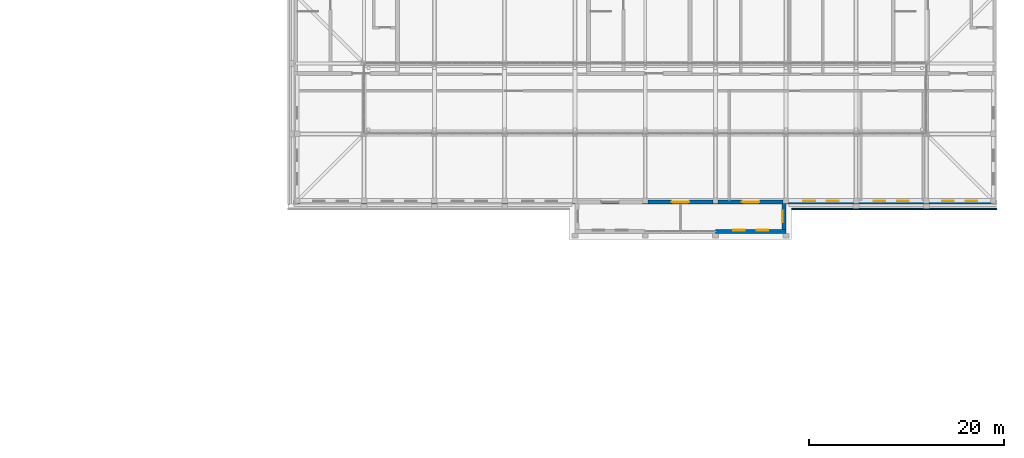
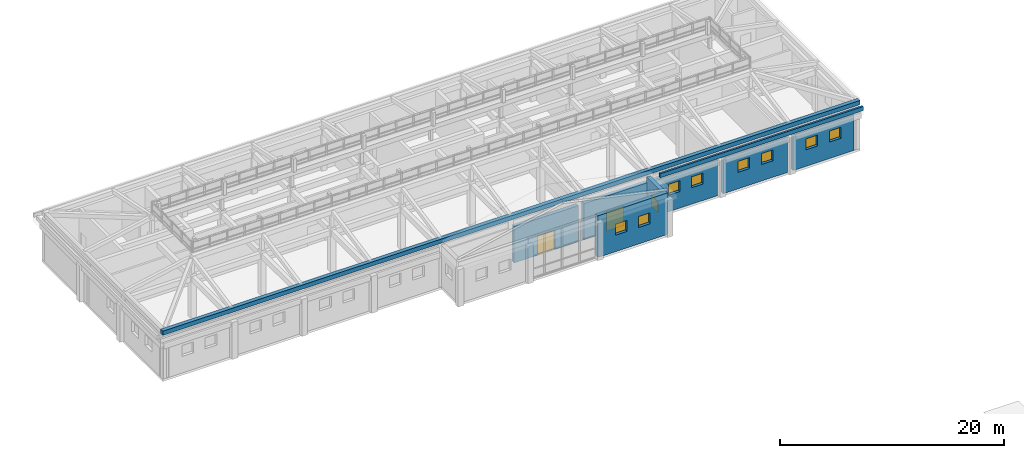
# One storey, part 41 of 48: 9 walls, 9 windows, 2 doors, 11 openings.
"""IFC4 building model written with IfcOpenShell, lengths in metres."""

import ifcopenshell
import ifcopenshell.guid

model = None  # the IFC model being written
_history = None  # IfcOwnerHistory: only IFC2X3 demands one
_inside = {}  # id of a spatial element -> (the spatial element, [elements in it])
_under = {}  # id of a project, library or spatial element -> (it, [spatial elements below it])
_declared = {}  # id of a project -> (the project, [libraries it declares])
_typed = {}  # id of a type object -> (the type object, [elements of that type])
_made_of = {}  # id of a material, layer set ... -> (it, [elements and type objects made of it])


def new_model(schema):
    """Start an empty IFC model of exactly this schema.

    Asked for "IFC4X3", IfcOpenShell would pick the latest addendum, in which some entities
    have other attributes; the version numbers below select the first issue.
    IFC2X3 requires an IfcOwnerHistory on every rooted entity: one is made here for all.
    """
    global model, _history
    if schema == "IFC4X3":
        model = ifcopenshell.file(schema_version=(4, 3, 0, 0))
    else:
        model = ifcopenshell.file(schema=schema)
    _inside.clear()
    _under.clear()
    _declared.clear()
    _typed.clear()
    _made_of.clear()
    _history = None
    if model.schema == "IFC2X3":
        org = make("IfcOrganization", Name="unknown")
        user = make(
            "IfcPersonAndOrganization",
            ThePerson=make("IfcPerson", FamilyName="unknown"),
            TheOrganization=org,
        )
        app = make(
            "IfcApplication",
            ApplicationDeveloper=org,
            Version="unknown",
            ApplicationFullName="unknown",
            ApplicationIdentifier="unknown",
        )
        _history = make(
            "IfcOwnerHistory",
            OwningUser=user,
            OwningApplication=app,
            ChangeAction="ADDED",
            CreationDate=0,
        )
    return model


def make(cls, **values):
    """One entity of the class cls with the attributes given. An attribute that is None is left unset."""
    return model.create_entity(
        cls, **{name: value for name, value in values.items() if value is not None}
    )


def rooted(cls, **values):
    """An entity with a GlobalId (a new one), such as an element, a storey or a relation."""
    return make(cls, GlobalId=ifcopenshell.guid.new(), OwnerHistory=_history, **values)


def si_unit(unit_type, name, prefix=None):
    """IfcSIUnit, for example si_unit("LENGTHUNIT", "METRE", prefix="MILLI")."""
    return make("IfcSIUnit", UnitType=unit_type, Prefix=prefix, Name=name)


def assignment(units):
    """IfcUnitAssignment: the units of a project."""
    return None if units is None else make("IfcUnitAssignment", Units=units)


def point(xyz):
    """IfcCartesianPoint."""
    return None if xyz is None else make("IfcCartesianPoint", Coordinates=xyz)


def direction(xyz):
    """IfcDirection."""
    return None if xyz is None else make("IfcDirection", DirectionRatios=xyz)


def frame(location, z_axis=None, x_axis=None):
    """IfcAxis2Placement3D, a coordinate frame: its origin and axes. An axis left out is left unset."""
    return make(
        "IfcAxis2Placement3D",
        Location=point(location),
        Axis=direction(z_axis),
        RefDirection=direction(x_axis),
    )


def frame_2d(location, x_axis=None):
    """IfcAxis2Placement2D, a coordinate frame in the plane: its origin and x axis."""
    return make(
        "IfcAxis2Placement2D", Location=point(location), RefDirection=direction(x_axis)
    )


def origin():
    """The frame at (0, 0, 0) with its axes left unset."""
    return frame((0.0, 0.0, 0.0))


def place(relative_to, where):
    """IfcLocalPlacement: puts the frame where relative to a parent placement (None: the world)."""
    return make(
        "IfcLocalPlacement", PlacementRelTo=relative_to, RelativePlacement=where
    )


def context(
    kind, dimensions, precision=None, world=None, true_north=None, identifier=None
):
    """IfcGeometricRepresentationContext, for example the 3D "Model" context."""
    return make(
        "IfcGeometricRepresentationContext",
        ContextIdentifier=identifier,
        ContextType=kind,
        CoordinateSpaceDimension=dimensions,
        Precision=precision,
        WorldCoordinateSystem=world,
        TrueNorth=true_north,
    )


def subcontext(parent, identifier, kind, view, scale=None):
    """IfcGeometricRepresentationSubContext, for example "Body" below "Model"."""
    return make(
        "IfcGeometricRepresentationSubContext",
        ContextIdentifier=identifier,
        ContextType=kind,
        ParentContext=parent,
        TargetScale=scale,
        TargetView=view,
    )


def project(units=None, contexts=None):
    """IfcProject with its units and contexts."""
    return rooted(
        "IfcProject",
        Name="project",
        RepresentationContexts=contexts,
        UnitsInContext=assignment(units),
    )


def spatial(cls, under=None, at=None, **own):
    """A site, building, storey or space (cls), placed at a placement, below another one or the project."""
    s = rooted(cls, ObjectPlacement=at, **own)
    if under is not None:
        _under.setdefault(under.id(), (under, []))[1].append(s)
    return s


def profile(cls, at=None, kind="AREA", **sizes):
    """A parametric profile (cls). Its sizes go by their IFC names, for example OverallWidth=200.0."""
    return make(cls, ProfileType=kind, Position=at, **sizes)


def rectangle(**sizes):
    """IfcRectangleProfileDef."""
    return profile("IfcRectangleProfileDef", **sizes)


def extrude(swept, where, along, depth):
    """IfcExtrudedAreaSolid: the profile swept, set in the frame where, extruded along a direction by depth."""
    return make(
        "IfcExtrudedAreaSolid",
        SweptArea=swept,
        Position=where,
        ExtrudedDirection=direction(along),
        Depth=depth,
    )


def shape(context_of_items, identifier, shape_type, items):
    """IfcShapeRepresentation: the items that make up one representation, for example the "Body"."""
    return make(
        "IfcShapeRepresentation",
        ContextOfItems=context_of_items,
        RepresentationIdentifier=identifier,
        RepresentationType=shape_type,
        Items=items,
    )


def material(Name=None, Category=None):
    """IfcMaterial."""
    return make("IfcMaterial", Name=Name, Category=Category)


def layer(
    of_material, thickness, ventilated=None, Name=None, Category=None, Priority=None
):
    """IfcMaterialLayer: one layer of a wall or slab, of a material (None: an air gap)."""
    return make(
        "IfcMaterialLayer",
        Material=of_material,
        LayerThickness=thickness,
        IsVentilated=ventilated,
        Name=Name,
        Category=Category,
        Priority=Priority,
    )


def layer_set(layers, Name=None):
    """IfcMaterialLayerSet."""
    return make("IfcMaterialLayerSet", MaterialLayers=layers, LayerSetName=Name)


def made_of(thing, what):
    """Note that an element or type object is made of a material, layer set ...; save() writes the relation."""
    if what is not None:
        _made_of.setdefault(what.id(), (what, []))[1].append(thing)
    return thing


def type_object(cls, material=None, **own):
    """A type object (cls), such as IfcWallType, which elements share."""
    return made_of(rooted(cls, **own), material)


def element(
    cls,
    number,
    at=None,
    inside=None,
    cuts=None,
    type_object=None,
    material=None,
    context=None,
    identifier="Body",
    shape_type=None,
    held_by="IfcProductDefinitionShape",
    body=None,
    shapes=None,
    **own,
):
    """One element of the class cls, such as IfcWall. Its Tag is "e" and its number.

    at: its placement. inside: the storey or other place that contains it. cuts: it is an
    opening in that element (IfcRelVoidsElement). A single representation is given by context,
    identifier, shape_type and body (its items); several are given by shapes. held_by: the class
    of the entity that holds the representations. save() writes the other relations.
    """
    e = rooted(cls, Tag="e%d" % number, ObjectPlacement=at, **own)
    if body is not None:
        shapes = [shape(context, identifier, shape_type, body)]
    if shapes is not None:
        e.Representation = make(held_by, Representations=shapes)
    if inside is not None:
        _inside.setdefault(inside.id(), (inside, []))[1].append(e)
    if cuts is not None:
        rooted(
            "IfcRelVoidsElement", RelatingBuildingElement=cuts, RelatedOpeningElement=e
        )
    if type_object is not None:
        _typed.setdefault(type_object.id(), (type_object, []))[1].append(e)
    return made_of(e, material)


def fill(opening, filler):
    """IfcRelFillsElement: the door or window that sits in an opening."""
    return rooted(
        "IfcRelFillsElement",
        RelatingOpeningElement=opening,
        RelatedBuildingElement=filler,
    )


def aggregate(whole, parts):
    """IfcRelAggregates: a whole, such as a stair, and the parts it consists of."""
    return rooted("IfcRelAggregates", RelatingObject=whole, RelatedObjects=parts)


def save(model, path):
    """Write the relations noted so far, then the file.

    IfcRelAggregates (storeys below a building ...), IfcRelContainedInSpatialStructure (elements
    in a storey), IfcRelDefinesByType, IfcRelAssociatesMaterial and IfcRelDeclares: one each for
    every whole, place, type object, material and project.
    """
    for whole, parts in _under.values():
        aggregate(whole, parts)
    for where, things in _inside.values():
        rooted(
            "IfcRelContainedInSpatialStructure",
            RelatedElements=things,
            RelatingStructure=where,
        )
    for kind, things in _typed.values():
        rooted("IfcRelDefinesByType", RelatedObjects=things, RelatingType=kind)
    for what, things in _made_of.values():
        rooted("IfcRelAssociatesMaterial", RelatedObjects=things, RelatingMaterial=what)
    for by, libraries in _declared.values():
        rooted("IfcRelDeclares", RelatingContext=by, RelatedDefinitions=libraries)
    model.write(path)


model = new_model("IFC4")

# Units and contexts
model_context = context("Model", 3, precision=1e-05, world=origin(), true_north=direction((0.0, 1.0)))
body_context = subcontext(model_context, "Body", "Model", "MODEL_VIEW")
ifc_project = project(units=[si_unit("LENGTHUNIT", "METRE"), si_unit("AREAUNIT", "SQUARE_METRE"), si_unit("VOLUMEUNIT", "CUBIC_METRE"), si_unit("PLANEANGLEUNIT", "RADIAN"), si_unit("MASSUNIT", "GRAM", prefix="KILO")], contexts=[model_context])

# Site, building, storey
site_placement = place(None, origin())
site = spatial("IfcSite", under=ifc_project, at=site_placement, CompositionType="ELEMENT")
building_placement = place(site_placement, origin())
building = spatial("IfcBuilding", under=site, at=building_placement, Name="Alderwick Market Hall", CompositionType="ELEMENT")
storey_placement = place(building_placement, frame((0.0, 0.0, 14.39990234375)))
storey = spatial("IfcBuildingStorey", under=building, at=storey_placement, Name="L02", CompositionType="ELEMENT", Elevation=14.39990234375)

# Wall, opening, door
ifc_material_1 = material(Name="Face brick", Category="masonry")
ifc_layer_1 = layer(ifc_material_1, 0.39990234375)
ifc_layer_set_1 = layer_set([ifc_layer_1], Name="Face brick")
wall_type_1 = type_object("IfcWallType", Name="F Brick Pier Wall 400", PredefinedType="SOLIDWALL", material=ifc_layer_set_1)
wall_1_placement = place(storey_placement, frame((201.324951171875, 129.800048828125, 0.0), z_axis=(0.0, 0.0, 1.0), x_axis=(-1.0, 0.0, 0.0)))
wall_1 = element("IfcWall", 1, at=wall_1_placement, inside=storey, type_object=wall_type_1, Name="F.wall.L02.fac.front.07", PredefinedType="SOLIDWALL", context=body_context, shape_type="SweptSolid", body=[
    extrude(rectangle(XDim=6.64990234375, YDim=0.39990234375, at=frame_2d((3.324951171875, 0.0))), origin(), (0.0, 0.0, 1.0), 3.9501953125),
])
opening_1_placement = place(wall_1_placement, frame((2.425048828125, 0.0, 0.0)))
opening_1 = element("IfcOpeningElement", 2, at=opening_1_placement, cuts=wall_1, Name="Opening F-D012", PredefinedType="OPENING", context=body_context, shape_type="SweptSolid", body=[
    extrude(rectangle(XDim=1.800048828125, YDim=2.10009765625, at=frame_2d((0.89990234375, 1.050048828125))), frame((0.0, 0.2099609375, 0.0), z_axis=(0.0, -1.0, 0.0), x_axis=(1.0, 0.0, 0.0)), (0.0, 0.0, 1.0), 0.419921875),
])
ifc_material_2 = material(Name="Timber, solid core", Category="wood")
door_type = type_object("IfcDoorType", Name="F Door Pair 1800x2100", OperationType="NOTDEFINED", PredefinedType="DOOR", material=ifc_material_2)
door_1_placement = place(opening_1_placement, origin())
door_1 = element("IfcDoor", 3, at=door_1_placement, inside=storey, type_object=door_type, Name="F.door.L02.012", OperationType="NOTDEFINED", OverallHeight=2.10009765625, OverallWidth=1.800048828125, PredefinedType="DOOR", context=body_context, shape_type="SweptSolid", body=[
    extrude(rectangle(XDim=1.800048828125, YDim=2.10009765625, at=frame_2d((0.89990234375, 1.050048828125))), frame((0.0, 0.02490234375, 0.0), z_axis=(0.0, -1.0, 0.0), x_axis=(1.0, 0.0, 0.0)), (0.0, 0.0, 1.0), 0.050048828125),
])
fill(opening_1, door_1)

wall_2_placement = place(storey_placement, frame((208.52490234375, 129.800048828125, 0.0), z_axis=(0.0, 0.0, 1.0), x_axis=(-1.0, 0.0, 0.0)))
wall_2 = element("IfcWall", 4, at=wall_2_placement, inside=storey, type_object=wall_type_1, Name="F.wall.L02.fac.front.08", PredefinedType="SOLIDWALL", context=body_context, shape_type="SweptSolid", body=[
    extrude(rectangle(XDim=6.64990234375, YDim=0.39990234375, at=frame_2d((3.324951171875, 0.0))), origin(), (0.0, 0.0, 1.0), 3.9501953125),
])
opening_2_placement = place(wall_2_placement, frame((2.425048828125, 0.0, 0.0)))
opening_2 = element("IfcOpeningElement", 5, at=opening_2_placement, cuts=wall_2, Name="Opening F-D013", PredefinedType="OPENING", context=body_context, shape_type="SweptSolid", body=[
    extrude(rectangle(XDim=1.800048828125, YDim=2.10009765625, at=frame_2d((0.89990234375, 1.050048828125))), frame((0.0, 0.2099609375, 0.0), z_axis=(0.0, -1.0, 0.0), x_axis=(1.0, 0.0, 0.0)), (0.0, 0.0, 1.0), 0.419921875),
])
door_2_placement = place(opening_2_placement, origin())
door_2 = element("IfcDoor", 6, at=door_2_placement, inside=storey, type_object=door_type, Name="F.door.L02.013", OperationType="NOTDEFINED", OverallHeight=2.10009765625, OverallWidth=1.800048828125, PredefinedType="DOOR", context=body_context, shape_type="SweptSolid", body=[
    extrude(rectangle(XDim=1.800048828125, YDim=2.10009765625, at=frame_2d((0.89990234375, 1.050048828125))), frame((0.0, 0.02490234375, 0.0), z_axis=(0.0, -1.0, 0.0), x_axis=(1.0, 0.0, 0.0)), (0.0, 0.0, 1.0), 0.050048828125),
])
fill(opening_2, door_2)

# Wall, openings, windows
wall_3_placement = place(storey_placement, frame((215.72509765625, 129.800048828125, 0.0), z_axis=(0.0, 0.0, 1.0), x_axis=(-1.0, 0.0, 0.0)))
wall_3 = element("IfcWall", 7, at=wall_3_placement, inside=storey, type_object=wall_type_1, Name="F.wall.L02.fac.front.09", PredefinedType="SOLIDWALL", context=body_context, shape_type="SweptSolid", body=[
    extrude(rectangle(XDim=6.650146484375, YDim=0.39990234375, at=frame_2d((3.3251953125, 0.0))), origin(), (0.0, 0.0, 1.0), 3.9501953125),
])
opening_3_placement = place(wall_3_placement, frame((1.52490234375, 0.0, 1.800048828125)))
opening_3 = element("IfcOpeningElement", 8, at=opening_3_placement, cuts=wall_3, Name="Opening F-W041", PredefinedType="OPENING", context=body_context, shape_type="SweptSolid", body=[
    extrude(rectangle(XDim=1.199951171875, YDim=1.199951171875, at=frame_2d((0.60009765625, 0.60009765625))), frame((0.0, 0.2099609375, 0.0), z_axis=(0.0, -1.0, 0.0), x_axis=(1.0, 0.0, 0.0)), (0.0, 0.0, 1.0), 0.419921875),
])
opening_4_placement = place(wall_3_placement, frame((3.925048828125, 0.0, 1.800048828125)))
opening_4 = element("IfcOpeningElement", 9, at=opening_4_placement, cuts=wall_3, Name="Opening F-W042", PredefinedType="OPENING", context=body_context, shape_type="SweptSolid", body=[
    extrude(rectangle(XDim=1.199951171875, YDim=1.199951171875, at=frame_2d((0.60009765625, 0.60009765625))), frame((0.0, 0.2099609375, 0.0), z_axis=(0.0, -1.0, 0.0), x_axis=(1.0, 0.0, 0.0)), (0.0, 0.0, 1.0), 0.419921875),
])
ifc_material_3 = material(Name="Aluminium frame, double glazing", Category="aluminium")
window_type = type_object("IfcWindowType", Name="F Attic Window 1200x1200", PartitioningType="SINGLE_PANEL", PredefinedType="WINDOW", material=ifc_material_3)
window_1_placement = place(opening_3_placement, origin())
window_1 = element("IfcWindow", 10, at=window_1_placement, inside=storey, type_object=window_type, Name="F.win.L02.041", OverallHeight=1.199951171875, OverallWidth=1.199951171875, PartitioningType="SINGLE_PANEL", PredefinedType="WINDOW", context=body_context, shape_type="SweptSolid", body=[
    extrude(rectangle(XDim=1.199951171875, YDim=1.199951171875, at=frame_2d((0.60009765625, 0.60009765625))), frame((0.0, -0.090087890625, 0.0), z_axis=(0.0, -1.0, 0.0), x_axis=(1.0, 0.0, 0.0)), (0.0, 0.0, 1.0), 0.06005859375),
])
fill(opening_3, window_1)
window_2_placement = place(opening_4_placement, origin())
window_2 = element("IfcWindow", 11, at=window_2_placement, inside=storey, type_object=window_type, Name="F.win.L02.042", OverallHeight=1.199951171875, OverallWidth=1.199951171875, PartitioningType="SINGLE_PANEL", PredefinedType="WINDOW", context=body_context, shape_type="SweptSolid", body=[
    extrude(rectangle(XDim=1.199951171875, YDim=1.199951171875, at=frame_2d((0.60009765625, 0.60009765625))), frame((0.0, -0.090087890625, 0.0), z_axis=(0.0, -1.0, 0.0), x_axis=(1.0, 0.0, 0.0)), (0.0, 0.0, 1.0), 0.06005859375),
])
fill(opening_4, window_2)

wall_4_placement = place(storey_placement, frame((222.925048828125, 129.800048828125, 0.0), z_axis=(0.0, 0.0, 1.0), x_axis=(-1.0, 0.0, 0.0)))
wall_4 = element("IfcWall", 12, at=wall_4_placement, inside=storey, type_object=wall_type_1, Name="F.wall.L02.fac.front.10", PredefinedType="SOLIDWALL", context=body_context, shape_type="SweptSolid", body=[
    extrude(rectangle(XDim=6.650146484375, YDim=0.39990234375, at=frame_2d((3.3251953125, 0.0))), origin(), (0.0, 0.0, 1.0), 3.9501953125),
])
opening_5_placement = place(wall_4_placement, frame((1.52490234375, 0.0, 1.800048828125)))
opening_5 = element("IfcOpeningElement", 13, at=opening_5_placement, cuts=wall_4, Name="Opening F-W043", PredefinedType="OPENING", context=body_context, shape_type="SweptSolid", body=[
    extrude(rectangle(XDim=1.199951171875, YDim=1.199951171875, at=frame_2d((0.60009765625, 0.60009765625))), frame((0.0, 0.2099609375, 0.0), z_axis=(0.0, -1.0, 0.0), x_axis=(1.0, 0.0, 0.0)), (0.0, 0.0, 1.0), 0.419921875),
])
opening_6_placement = place(wall_4_placement, frame((3.925048828125, 0.0, 1.800048828125)))
opening_6 = element("IfcOpeningElement", 14, at=opening_6_placement, cuts=wall_4, Name="Opening F-W044", PredefinedType="OPENING", context=body_context, shape_type="SweptSolid", body=[
    extrude(rectangle(XDim=1.199951171875, YDim=1.199951171875, at=frame_2d((0.60009765625, 0.60009765625))), frame((0.0, 0.2099609375, 0.0), z_axis=(0.0, -1.0, 0.0), x_axis=(1.0, 0.0, 0.0)), (0.0, 0.0, 1.0), 0.419921875),
])
window_3_placement = place(opening_5_placement, origin())
window_3 = element("IfcWindow", 15, at=window_3_placement, inside=storey, type_object=window_type, Name="F.win.L02.043", OverallHeight=1.199951171875, OverallWidth=1.199951171875, PartitioningType="SINGLE_PANEL", PredefinedType="WINDOW", context=body_context, shape_type="SweptSolid", body=[
    extrude(rectangle(XDim=1.199951171875, YDim=1.199951171875, at=frame_2d((0.60009765625, 0.60009765625))), frame((0.0, -0.090087890625, 0.0), z_axis=(0.0, -1.0, 0.0), x_axis=(1.0, 0.0, 0.0)), (0.0, 0.0, 1.0), 0.06005859375),
])
fill(opening_5, window_3)
window_4_placement = place(opening_6_placement, origin())
window_4 = element("IfcWindow", 16, at=window_4_placement, inside=storey, type_object=window_type, Name="F.win.L02.044", OverallHeight=1.199951171875, OverallWidth=1.199951171875, PartitioningType="SINGLE_PANEL", PredefinedType="WINDOW", context=body_context, shape_type="SweptSolid", body=[
    extrude(rectangle(XDim=1.199951171875, YDim=1.199951171875, at=frame_2d((0.60009765625, 0.60009765625))), frame((0.0, -0.090087890625, 0.0), z_axis=(0.0, -1.0, 0.0), x_axis=(1.0, 0.0, 0.0)), (0.0, 0.0, 1.0), 0.06005859375),
])
fill(opening_6, window_4)

wall_5_placement = place(storey_placement, frame((229.77490234375, 129.800048828125, 0.0), z_axis=(0.0, 0.0, 1.0), x_axis=(-1.0, 0.0, 0.0)))
wall_5 = element("IfcWall", 17, at=wall_5_placement, inside=storey, type_object=wall_type_1, Name="F.wall.L02.fac.front.11", PredefinedType="SOLIDWALL", context=body_context, shape_type="SweptSolid", body=[
    extrude(rectangle(XDim=6.2998046875, YDim=0.39990234375, at=frame_2d((3.14990234375, 0.0))), origin(), (0.0, 0.0, 1.0), 3.9501953125),
])
opening_7_placement = place(wall_5_placement, frame((1.35009765625, 0.0, 1.800048828125)))
opening_7 = element("IfcOpeningElement", 18, at=opening_7_placement, cuts=wall_5, Name="Opening F-W045", PredefinedType="OPENING", context=body_context, shape_type="SweptSolid", body=[
    extrude(rectangle(XDim=1.199951171875, YDim=1.199951171875, at=frame_2d((0.60009765625, 0.60009765625))), frame((0.0, 0.2099609375, 0.0), z_axis=(0.0, -1.0, 0.0), x_axis=(1.0, 0.0, 0.0)), (0.0, 0.0, 1.0), 0.419921875),
])
opening_8_placement = place(wall_5_placement, frame((3.75, 0.0, 1.800048828125)))
opening_8 = element("IfcOpeningElement", 19, at=opening_8_placement, cuts=wall_5, Name="Opening F-W046", PredefinedType="OPENING", context=body_context, shape_type="SweptSolid", body=[
    extrude(rectangle(XDim=1.199951171875, YDim=1.199951171875, at=frame_2d((0.60009765625, 0.60009765625))), frame((0.0, 0.2099609375, 0.0), z_axis=(0.0, -1.0, 0.0), x_axis=(1.0, 0.0, 0.0)), (0.0, 0.0, 1.0), 0.419921875),
])
window_5_placement = place(opening_7_placement, origin())
window_5 = element("IfcWindow", 20, at=window_5_placement, inside=storey, type_object=window_type, Name="F.win.L02.045", OverallHeight=1.199951171875, OverallWidth=1.199951171875, PartitioningType="SINGLE_PANEL", PredefinedType="WINDOW", context=body_context, shape_type="SweptSolid", body=[
    extrude(rectangle(XDim=1.199951171875, YDim=1.199951171875, at=frame_2d((0.60009765625, 0.60009765625))), frame((0.0, -0.090087890625, 0.0), z_axis=(0.0, -1.0, 0.0), x_axis=(1.0, 0.0, 0.0)), (0.0, 0.0, 1.0), 0.06005859375),
])
fill(opening_7, window_5)
window_6_placement = place(opening_8_placement, origin())
window_6 = element("IfcWindow", 21, at=window_6_placement, inside=storey, type_object=window_type, Name="F.win.L02.046", OverallHeight=1.199951171875, OverallWidth=1.199951171875, PartitioningType="SINGLE_PANEL", PredefinedType="WINDOW", context=body_context, shape_type="SweptSolid", body=[
    extrude(rectangle(XDim=1.199951171875, YDim=1.199951171875, at=frame_2d((0.60009765625, 0.60009765625))), frame((0.0, -0.090087890625, 0.0), z_axis=(0.0, -1.0, 0.0), x_axis=(1.0, 0.0, 0.0)), (0.0, 0.0, 1.0), 0.06005859375),
])
fill(opening_8, window_6)

wall_6_placement = place(storey_placement, frame((208.800048828125, 126.800048828125, 0.0), z_axis=(0.0, 0.0, 1.0), x_axis=(-1.0, 0.0, 0.0)))
wall_6 = element("IfcWall", 22, at=wall_6_placement, inside=storey, type_object=wall_type_1, Name="F.wall.L02.pav1.front.02", PredefinedType="SOLIDWALL", context=body_context, shape_type="SweptSolid", body=[
    extrude(rectangle(XDim=7.199951171875, YDim=0.39990234375, at=frame_2d((3.60009765625, 0.0))), origin(), (0.0, 0.0, 1.0), 4.550048828125),
])
opening_9_placement = place(wall_6_placement, frame((1.800048828125, 0.0, 1.800048828125)))
opening_9 = element("IfcOpeningElement", 23, at=opening_9_placement, cuts=wall_6, Name="Opening F-W074", PredefinedType="OPENING", context=body_context, shape_type="SweptSolid", body=[
    extrude(rectangle(XDim=1.199951171875, YDim=1.199951171875, at=frame_2d((0.60009765625, 0.60009765625))), frame((0.0, 0.2099609375, 0.0), z_axis=(0.0, -1.0, 0.0), x_axis=(1.0, 0.0, 0.0)), (0.0, 0.0, 1.0), 0.419921875),
])
opening_10_placement = place(wall_6_placement, frame((4.199951171875, 0.0, 1.800048828125)))
opening_10 = element("IfcOpeningElement", 24, at=opening_10_placement, cuts=wall_6, Name="Opening F-W075", PredefinedType="OPENING", context=body_context, shape_type="SweptSolid", body=[
    extrude(rectangle(XDim=1.199951171875, YDim=1.199951171875, at=frame_2d((0.60009765625, 0.60009765625))), frame((0.0, 0.2099609375, 0.0), z_axis=(0.0, -1.0, 0.0), x_axis=(1.0, 0.0, 0.0)), (0.0, 0.0, 1.0), 0.419921875),
])
window_7_placement = place(opening_9_placement, origin())
window_7 = element("IfcWindow", 25, at=window_7_placement, inside=storey, type_object=window_type, Name="F.win.L02.074", OverallHeight=1.199951171875, OverallWidth=1.199951171875, PartitioningType="SINGLE_PANEL", PredefinedType="WINDOW", context=body_context, shape_type="SweptSolid", body=[
    extrude(rectangle(XDim=1.199951171875, YDim=1.199951171875, at=frame_2d((0.60009765625, 0.60009765625))), frame((0.0, -0.090087890625, 0.0), z_axis=(0.0, -1.0, 0.0), x_axis=(1.0, 0.0, 0.0)), (0.0, 0.0, 1.0), 0.06005859375),
])
fill(opening_9, window_7)
window_8_placement = place(opening_10_placement, origin())
window_8 = element("IfcWindow", 26, at=window_8_placement, inside=storey, type_object=window_type, Name="F.win.L02.075", OverallHeight=1.199951171875, OverallWidth=1.199951171875, PartitioningType="SINGLE_PANEL", PredefinedType="WINDOW", context=body_context, shape_type="SweptSolid", body=[
    extrude(rectangle(XDim=1.199951171875, YDim=1.199951171875, at=frame_2d((0.60009765625, 0.60009765625))), frame((0.0, -0.090087890625, 0.0), z_axis=(0.0, -1.0, 0.0), x_axis=(1.0, 0.0, 0.0)), (0.0, 0.0, 1.0), 0.06005859375),
])
fill(opening_10, window_8)

# Wall, opening, window
wall_7_placement = place(storey_placement, frame((208.60009765625, 129.675048828125, 0.0), z_axis=(0.0, 0.0, 1.0), x_axis=(0.0, -1.0, 0.0)))
wall_7 = element("IfcWall", 27, at=wall_7_placement, inside=storey, type_object=wall_type_1, Name="F.wall.L02.pav1.east.01", PredefinedType="SOLIDWALL", context=body_context, shape_type="SweptSolid", body=[
    extrude(rectangle(XDim=2.675048828125, YDim=0.39990234375, at=frame_2d((1.33740234375, 0.0))), origin(), (0.0, 0.0, 1.0), 4.550048828125),
])
opening_11_placement = place(wall_7_placement, frame((0.737548828125, 0.0, 1.800048828125)))
opening_11 = element("IfcOpeningElement", 28, at=opening_11_placement, cuts=wall_7, Name="Opening F-W077", PredefinedType="OPENING", context=body_context, shape_type="SweptSolid", body=[
    extrude(rectangle(XDim=1.199951171875, YDim=1.199951171875, at=frame_2d((0.60009765625, 0.60009765625))), frame((0.0, 0.2099609375, 0.0), z_axis=(0.0, -1.0, 0.0), x_axis=(1.0, 0.0, 0.0)), (0.0, 0.0, 1.0), 0.419921875),
])
window_9_placement = place(opening_11_placement, origin())
window_9 = element("IfcWindow", 29, at=window_9_placement, inside=storey, type_object=window_type, Name="F.win.L02.077", OverallHeight=1.199951171875, OverallWidth=1.199951171875, PartitioningType="SINGLE_PANEL", PredefinedType="WINDOW", context=body_context, shape_type="SweptSolid", body=[
    extrude(rectangle(XDim=1.199951171875, YDim=1.199951171875, at=frame_2d((0.60009765625, 0.60009765625))), frame((0.0, -0.090087890625, 0.0), z_axis=(0.0, -1.0, 0.0), x_axis=(1.0, 0.0, 0.0)), (0.0, 0.0, 1.0), 0.06005859375),
])
fill(opening_11, window_9)

# Walls
ifc_material_4 = material(Name="Cast stone 5000 psi", Category="masonry")
ifc_layer_2 = layer(ifc_material_4, 0.199951171875)
ifc_layer_set_2 = layer_set([ifc_layer_2], Name="Cast stone 5000 psi")
wall_type_2 = type_object("IfcWallType", Name="F Cornice Fascia Cast Stone 200x450", PredefinedType="SOLIDWALL", material=ifc_layer_set_2)
wall_8_placement = place(storey_placement, frame((230.39990234375, 129.10009765625, 4.5), z_axis=(0.0, 0.0, 1.0), x_axis=(-1.0, 0.0, 0.0)))
element("IfcWall", 30, at=wall_8_placement, inside=storey, type_object=wall_type_2, Name="F.wall.L02.fascia.front.02", PredefinedType="SOLIDWALL", context=body_context, shape_type="SweptSolid", body=[
    extrude(rectangle(XDim=21.0, YDim=0.199951171875, at=frame_2d((10.5, 0.0))), origin(), (0.0, 0.0, 1.0), 0.4501953125),
])
ifc_material_5 = material(Name="Concrete 5000 psi (f'c 35 MPa)", Category="concrete")
ifc_layer_3 = layer(ifc_material_5, 0.39990234375)
ifc_layer_set_3 = layer_set([ifc_layer_3], Name="Concrete 5000 psi (f'c 35 MPa)")
wall_type_3 = type_object("IfcWallType", Name="F Eaves Kerb Concrete 5000 psi 400", PredefinedType="SOLIDWALL", material=ifc_layer_set_3)
wall_9_placement = place(storey_placement, frame((230.39990234375, 129.800048828125, 4.800048828125), z_axis=(0.0, 0.0, 1.0), x_axis=(-1.0, 0.0, 0.0)))
element("IfcWall", 31, at=wall_9_placement, inside=storey, type_object=wall_type_3, Name="F.wall.L02.kerb.front.01", PredefinedType="SOLIDWALL", context=body_context, shape_type="SweptSolid", body=[
    extrude(rectangle(XDim=72.0, YDim=0.39990234375, at=frame_2d((36.0, 0.0))), origin(), (0.0, 0.0, 1.0), 0.449951171875),
])

save(model, "model.ifc")
